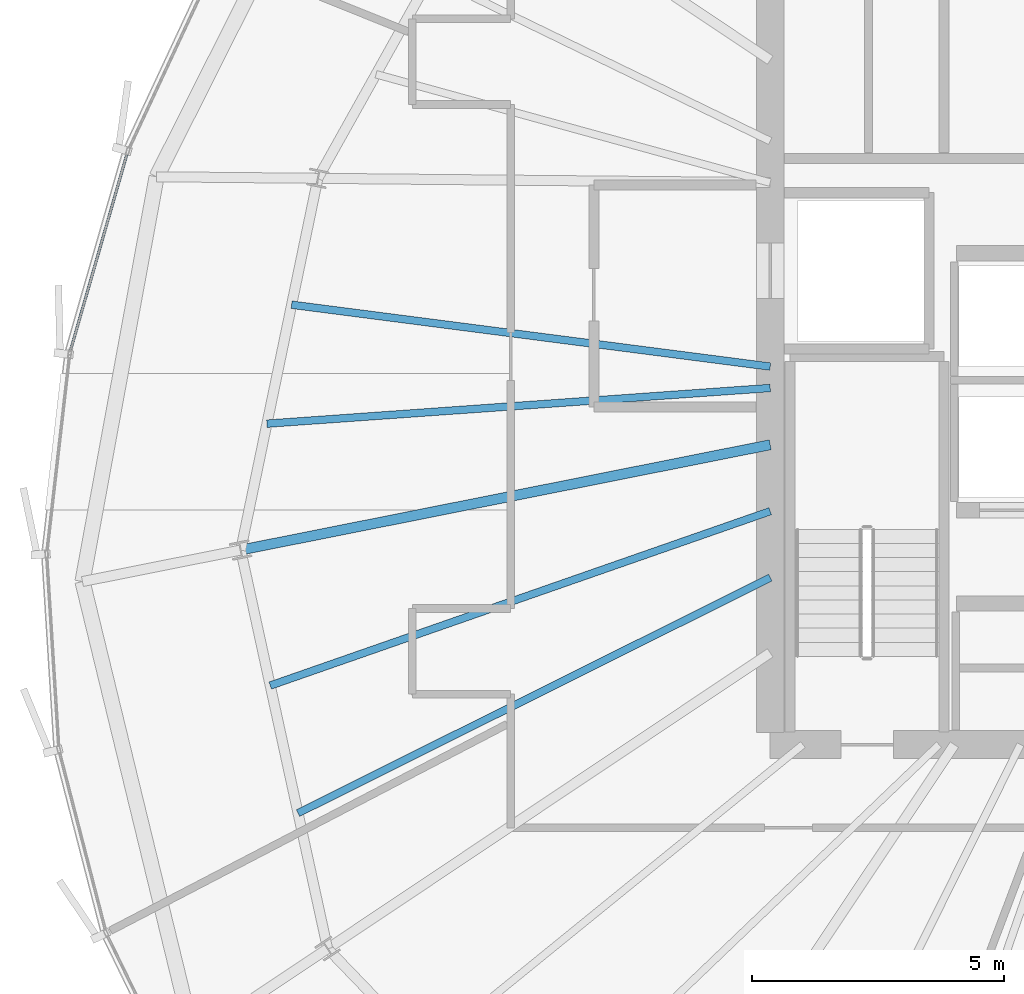
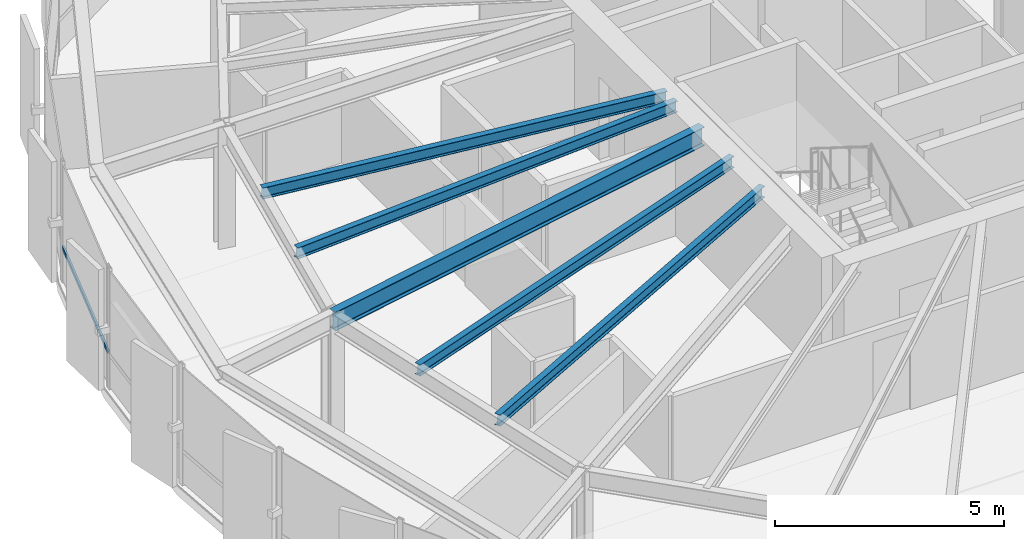
# One storey, part 9 of 33: 5 beams, 1 member, 1 element without a shape of its own.
"""IFC4 building model written with IfcOpenShell, lengths in metres."""

import ifcopenshell
import ifcopenshell.guid

model = None  # the IFC model being written
_history = None  # IfcOwnerHistory: only IFC2X3 demands one
_inside = {}  # id of a spatial element -> (the spatial element, [elements in it])
_under = {}  # id of a project, library or spatial element -> (it, [spatial elements below it])
_declared = {}  # id of a project -> (the project, [libraries it declares])
_typed = {}  # id of a type object -> (the type object, [elements of that type])
_made_of = {}  # id of a material, layer set ... -> (it, [elements and type objects made of it])


def new_model(schema):
    """Start an empty IFC model of exactly this schema.

    Asked for "IFC4X3", IfcOpenShell would pick the latest addendum, in which some entities
    have other attributes; the version numbers below select the first issue.
    IFC2X3 requires an IfcOwnerHistory on every rooted entity: one is made here for all.
    """
    global model, _history
    if schema == "IFC4X3":
        model = ifcopenshell.file(schema_version=(4, 3, 0, 0))
    else:
        model = ifcopenshell.file(schema=schema)
    _inside.clear()
    _under.clear()
    _declared.clear()
    _typed.clear()
    _made_of.clear()
    _history = None
    if model.schema == "IFC2X3":
        org = make("IfcOrganization", Name="unknown")
        user = make(
            "IfcPersonAndOrganization",
            ThePerson=make("IfcPerson", FamilyName="unknown"),
            TheOrganization=org,
        )
        app = make(
            "IfcApplication",
            ApplicationDeveloper=org,
            Version="unknown",
            ApplicationFullName="unknown",
            ApplicationIdentifier="unknown",
        )
        _history = make(
            "IfcOwnerHistory",
            OwningUser=user,
            OwningApplication=app,
            ChangeAction="ADDED",
            CreationDate=0,
        )
    return model


def make(cls, **values):
    """One entity of the class cls with the attributes given. An attribute that is None is left unset."""
    return model.create_entity(
        cls, **{name: value for name, value in values.items() if value is not None}
    )


def rooted(cls, **values):
    """An entity with a GlobalId (a new one), such as an element, a storey or a relation."""
    return make(cls, GlobalId=ifcopenshell.guid.new(), OwnerHistory=_history, **values)


def si_unit(unit_type, name, prefix=None):
    """IfcSIUnit, for example si_unit("LENGTHUNIT", "METRE", prefix="MILLI")."""
    return make("IfcSIUnit", UnitType=unit_type, Prefix=prefix, Name=name)


def assignment(units):
    """IfcUnitAssignment: the units of a project."""
    return None if units is None else make("IfcUnitAssignment", Units=units)


def point(xyz):
    """IfcCartesianPoint."""
    return None if xyz is None else make("IfcCartesianPoint", Coordinates=xyz)


def direction(xyz):
    """IfcDirection."""
    return None if xyz is None else make("IfcDirection", DirectionRatios=xyz)


def frame(location, z_axis=None, x_axis=None):
    """IfcAxis2Placement3D, a coordinate frame: its origin and axes. An axis left out is left unset."""
    return make(
        "IfcAxis2Placement3D",
        Location=point(location),
        Axis=direction(z_axis),
        RefDirection=direction(x_axis),
    )


def frame_2d(location, x_axis=None):
    """IfcAxis2Placement2D, a coordinate frame in the plane: its origin and x axis."""
    return make(
        "IfcAxis2Placement2D", Location=point(location), RefDirection=direction(x_axis)
    )


def origin():
    """The frame at (0, 0, 0) with its axes left unset."""
    return frame((0.0, 0.0, 0.0))


def origin_2d():
    """The frame at (0, 0) in the plane with its x axis left unset."""
    return frame_2d((0.0, 0.0))


def place(relative_to, where):
    """IfcLocalPlacement: puts the frame where relative to a parent placement (None: the world)."""
    return make(
        "IfcLocalPlacement", PlacementRelTo=relative_to, RelativePlacement=where
    )


def context(
    kind, dimensions, precision=None, world=None, true_north=None, identifier=None
):
    """IfcGeometricRepresentationContext, for example the 3D "Model" context."""
    return make(
        "IfcGeometricRepresentationContext",
        ContextIdentifier=identifier,
        ContextType=kind,
        CoordinateSpaceDimension=dimensions,
        Precision=precision,
        WorldCoordinateSystem=world,
        TrueNorth=true_north,
    )


def subcontext(parent, identifier, kind, view, scale=None):
    """IfcGeometricRepresentationSubContext, for example "Body" below "Model"."""
    return make(
        "IfcGeometricRepresentationSubContext",
        ContextIdentifier=identifier,
        ContextType=kind,
        ParentContext=parent,
        TargetScale=scale,
        TargetView=view,
    )


def project(units=None, contexts=None):
    """IfcProject with its units and contexts."""
    return rooted(
        "IfcProject",
        Name="project",
        RepresentationContexts=contexts,
        UnitsInContext=assignment(units),
    )


def spatial(cls, under=None, at=None, **own):
    """A site, building, storey or space (cls), placed at a placement, below another one or the project."""
    s = rooted(cls, ObjectPlacement=at, **own)
    if under is not None:
        _under.setdefault(under.id(), (under, []))[1].append(s)
    return s


def profile(cls, at=None, kind="AREA", **sizes):
    """A parametric profile (cls). Its sizes go by their IFC names, for example OverallWidth=200.0."""
    return make(cls, ProfileType=kind, Position=at, **sizes)


def hollow_rectangle(**sizes):
    """IfcRectangleHollowProfileDef."""
    return profile("IfcRectangleHollowProfileDef", **sizes)


def i_section(**sizes):
    """IfcIShapeProfileDef."""
    return profile("IfcIShapeProfileDef", **sizes)


def extrude(swept, where, along, depth):
    """IfcExtrudedAreaSolid: the profile swept, set in the frame where, extruded along a direction by depth."""
    return make(
        "IfcExtrudedAreaSolid",
        SweptArea=swept,
        Position=where,
        ExtrudedDirection=direction(along),
        Depth=depth,
    )


def shape(context_of_items, identifier, shape_type, items):
    """IfcShapeRepresentation: the items that make up one representation, for example the "Body"."""
    return make(
        "IfcShapeRepresentation",
        ContextOfItems=context_of_items,
        RepresentationIdentifier=identifier,
        RepresentationType=shape_type,
        Items=items,
    )


def source(mapping_origin, context_of_items, identifier, shape_type, items):
    """IfcRepresentationMap: a shape defined once, which mapped items show again and again."""
    return make(
        "IfcRepresentationMap",
        MappingOrigin=mapping_origin,
        MappedRepresentation=shape(context_of_items, identifier, shape_type, items),
    )


def transform(
    local_origin,
    x_axis=None,
    y_axis=None,
    z_axis=None,
    scale=None,
    scale2=None,
    scale3=None,
    uniform=True,
):
    """IfcCartesianTransformationOperator3D, or its non-uniform kind. x_axis, y_axis, z_axis: its Axis1, 2, 3."""
    if uniform:
        return make(
            "IfcCartesianTransformationOperator3D",
            Axis1=direction(x_axis),
            Axis2=direction(y_axis),
            LocalOrigin=point(local_origin),
            Scale=scale,
            Axis3=direction(z_axis),
        )
    return make(
        "IfcCartesianTransformationOperator3DnonUniform",
        Axis1=direction(x_axis),
        Axis2=direction(y_axis),
        LocalOrigin=point(local_origin),
        Scale=scale,
        Axis3=direction(z_axis),
        Scale2=scale2,
        Scale3=scale3,
    )


def mapped(mapping_source, mapping_target):
    """IfcMappedItem: shows the shape of a source again, moved by a transform."""
    return make(
        "IfcMappedItem", MappingSource=mapping_source, MappingTarget=mapping_target
    )


def material(Name=None, Category=None):
    """IfcMaterial."""
    return make("IfcMaterial", Name=Name, Category=Category)


def layer(
    of_material, thickness, ventilated=None, Name=None, Category=None, Priority=None
):
    """IfcMaterialLayer: one layer of a wall or slab, of a material (None: an air gap)."""
    return make(
        "IfcMaterialLayer",
        Material=of_material,
        LayerThickness=thickness,
        IsVentilated=ventilated,
        Name=Name,
        Category=Category,
        Priority=Priority,
    )


def layer_set(layers, Name=None):
    """IfcMaterialLayerSet."""
    return make("IfcMaterialLayerSet", MaterialLayers=layers, LayerSetName=Name)


def material_profile(
    of_material, cross_section, Name=None, Category=None, Priority=None
):
    """IfcMaterialProfile: a cross section and its material."""
    return make(
        "IfcMaterialProfile",
        Name=Name,
        Material=of_material,
        Profile=cross_section,
        Priority=Priority,
        Category=Category,
    )


def profile_set(profiles, Name=None, composite=None):
    """IfcMaterialProfileSet."""
    return make(
        "IfcMaterialProfileSet",
        Name=Name,
        MaterialProfiles=profiles,
        CompositeProfile=composite,
    )


def made_of(thing, what):
    """Note that an element or type object is made of a material, layer set ...; save() writes the relation."""
    if what is not None:
        _made_of.setdefault(what.id(), (what, []))[1].append(thing)
    return thing


def type_object(cls, material=None, **own):
    """A type object (cls), such as IfcWallType, which elements share."""
    return made_of(rooted(cls, **own), material)


def element(
    cls,
    number,
    at=None,
    inside=None,
    cuts=None,
    type_object=None,
    material=None,
    context=None,
    identifier="Body",
    shape_type=None,
    held_by="IfcProductDefinitionShape",
    body=None,
    shapes=None,
    **own,
):
    """One element of the class cls, such as IfcWall. Its Tag is "e" and its number.

    at: its placement. inside: the storey or other place that contains it. cuts: it is an
    opening in that element (IfcRelVoidsElement). A single representation is given by context,
    identifier, shape_type and body (its items); several are given by shapes. held_by: the class
    of the entity that holds the representations. save() writes the other relations.
    """
    e = rooted(cls, Tag="e%d" % number, ObjectPlacement=at, **own)
    if body is not None:
        shapes = [shape(context, identifier, shape_type, body)]
    if shapes is not None:
        e.Representation = make(held_by, Representations=shapes)
    if inside is not None:
        _inside.setdefault(inside.id(), (inside, []))[1].append(e)
    if cuts is not None:
        rooted(
            "IfcRelVoidsElement", RelatingBuildingElement=cuts, RelatedOpeningElement=e
        )
    if type_object is not None:
        _typed.setdefault(type_object.id(), (type_object, []))[1].append(e)
    return made_of(e, material)


def aggregate(whole, parts):
    """IfcRelAggregates: a whole, such as a stair, and the parts it consists of."""
    return rooted("IfcRelAggregates", RelatingObject=whole, RelatedObjects=parts)


def save(model, path):
    """Write the relations noted so far, then the file.

    IfcRelAggregates (storeys below a building ...), IfcRelContainedInSpatialStructure (elements
    in a storey), IfcRelDefinesByType, IfcRelAssociatesMaterial and IfcRelDeclares: one each for
    every whole, place, type object, material and project.
    """
    for whole, parts in _under.values():
        aggregate(whole, parts)
    for where, things in _inside.values():
        rooted(
            "IfcRelContainedInSpatialStructure",
            RelatedElements=things,
            RelatingStructure=where,
        )
    for kind, things in _typed.values():
        rooted("IfcRelDefinesByType", RelatedObjects=things, RelatingType=kind)
    for what, things in _made_of.values():
        rooted("IfcRelAssociatesMaterial", RelatedObjects=things, RelatingMaterial=what)
    for by, libraries in _declared.values():
        rooted("IfcRelDeclares", RelatingContext=by, RelatedDefinitions=libraries)
    model.write(path)


model = new_model("IFC4")

# Units and contexts
model_context = context("Model", 3, precision=1e-05, world=origin(), true_north=direction((0.0, 1.0)))
body_context = subcontext(model_context, "Body", "Model", "MODEL_VIEW")
ifc_project = project(units=[si_unit("LENGTHUNIT", "METRE"), si_unit("AREAUNIT", "SQUARE_METRE"), si_unit("VOLUMEUNIT", "CUBIC_METRE"), si_unit("PLANEANGLEUNIT", "RADIAN"), si_unit("MASSUNIT", "GRAM", prefix="KILO"), si_unit("THERMODYNAMICTEMPERATUREUNIT", "KELVIN")], contexts=[model_context])

# Site, building, storey
site_placement = place(None, origin())
site = spatial("IfcSite", under=ifc_project, at=site_placement, CompositionType="ELEMENT")
building_placement = place(site_placement, origin())
building = spatial("IfcBuilding", under=site, at=building_placement, Name="Kethvar Cultural Tower", CompositionType="ELEMENT")
storey_placement = place(building_placement, frame((0.0, 0.0, 211.39990234375)))
storey = spatial("IfcBuildingStorey", under=building, at=storey_placement, Name="L55", CompositionType="ELEMENT", Elevation=211.39990234375)

# Beams
ifc_material_1 = material(Name="Steel S355J2", Category="steel")
ifc_material_profile_1 = material_profile(ifc_material_1, i_section(OverallWidth=0.199951171875, OverallDepth=0.5, WebThickness=0.01025390625, FlangeThickness=0.01611328125, FilletRadius=0.02099609375, at=origin_2d()), Name="Steel S355J2 — IPE500")
ifc_profile_set_1 = profile_set([ifc_material_profile_1], Name="Steel S355J2 — IPE500")
beam_type_1 = type_object("IfcBeamType", Name="BM-IPE500", PredefinedType="BEAM", material=ifc_profile_set_1)
shared_shape_1 = source(origin(), body_context, "Body", "SweptSolid", [
    extrude(i_section(OverallWidth=0.199951171875, OverallDepth=0.5, WebThickness=0.01025390625, FlangeThickness=0.01611328125, FilletRadius=0.02099609375, at=origin_2d()), origin(), (0.0, 0.0, 1.0), 10.712890625),
])
beam_1_placement = place(storey_placement, frame((38.0, 26.049560546875, 3.008056640625), z_axis=(-0.980787859831, -0.195077353908, 0.0), x_axis=(0.195077353908, -0.980787859831, 0.0)))
element("IfcBeam", 1, at=beam_1_placement, inside=storey, type_object=beam_type_1, Name="L55 Primary Radial Beam RB-09", PredefinedType="BEAM", context=body_context, shape_type="MappedRepresentation", body=[
    mapped(shared_shape_1, transform((0.0, 0.0, 0.0), scale=1.0)),
])
ifc_material_profile_2 = material_profile(ifc_material_1, i_section(OverallWidth=0.14990234375, OverallDepth=0.300048828125, WebThickness=0.007080078125, FlangeThickness=0.0107421875, FilletRadius=0.014892578125, at=origin_2d()), Name="Steel S355J2 — IPE300")
ifc_profile_set_2 = profile_set([ifc_material_profile_2], Name="Steel S355J2 — IPE300")
beam_type_2 = type_object("IfcBeamType", Name="BM-J300", PredefinedType="JOIST", material=ifc_profile_set_2)
shared_shape_2 = source(origin(), body_context, "Body", "SweptSolid", [
    extrude(i_section(OverallWidth=0.14990234375, OverallDepth=0.300048828125, WebThickness=0.007080078125, FlangeThickness=0.0107421875, FilletRadius=0.014892578125, at=origin_2d()), origin(), (0.0, 0.0, 1.0), 9.5751953125),
])
beam_2_placement = place(storey_placement, frame((38.0, 27.60009765625, 3.108154296875), z_axis=(-0.991744950922, 0.128226176424, 0.0), x_axis=(-0.128226176424, -0.991744950922, 0.0)))
element("IfcBeam", 2, at=beam_2_placement, inside=storey, type_object=beam_type_2, Name="L55 Composite Floor Joist J-08A", PredefinedType="JOIST", context=body_context, shape_type="MappedRepresentation", body=[
    mapped(shared_shape_2, transform((0.0, 0.0, 0.0), scale=1.0)),
])
shared_shape_3 = source(origin(), body_context, "Body", "SweptSolid", [
    extrude(i_section(OverallWidth=0.14990234375, OverallDepth=0.300048828125, WebThickness=0.007080078125, FlangeThickness=0.0107421875, FilletRadius=0.014892578125, at=origin_2d()), origin(), (0.0, 0.0, 1.0), 10.01123046875),
])
beam_3_placement = place(storey_placement, frame((38.0, 27.17578125, 3.108154296875), z_axis=(-0.997494349679, -0.070746182637, 0.0), x_axis=(0.070746182637, -0.997494349679, 0.0)))
element("IfcBeam", 3, at=beam_3_placement, inside=storey, type_object=beam_type_2, Name="L55 Composite Floor Joist J-08B", PredefinedType="JOIST", context=body_context, shape_type="MappedRepresentation", body=[
    mapped(shared_shape_3, transform((0.0, 0.0, 0.0), scale=1.0)),
])
shared_shape_4 = source(origin(), body_context, "Body", "SweptSolid", [
    extrude(i_section(OverallWidth=0.14990234375, OverallDepth=0.300048828125, WebThickness=0.007080078125, FlangeThickness=0.0107421875, FilletRadius=0.014892578125, at=origin_2d()), origin(), (0.0, 0.0, 1.0), 10.506591796875),
])
beam_4_placement = place(storey_placement, frame((38.0, 24.73095703125, 3.108154296875), z_axis=(-0.944221858738, -0.329310008171, 0.0), x_axis=(0.329310008171, -0.944221858738, 0.0)))
element("IfcBeam", 4, at=beam_4_placement, inside=storey, type_object=beam_type_2, Name="L55 Composite Floor Joist J-09A", PredefinedType="JOIST", context=body_context, shape_type="MappedRepresentation", body=[
    mapped(shared_shape_4, transform((0.0, 0.0, 0.0), scale=1.0)),
])
shared_shape_5 = source(origin(), body_context, "Body", "SweptSolid", [
    extrude(i_section(OverallWidth=0.14990234375, OverallDepth=0.300048828125, WebThickness=0.007080078125, FlangeThickness=0.0107421875, FilletRadius=0.014892578125, at=origin_2d()), origin(), (0.0, 0.0, 1.0), 10.468994140625),
])
beam_5_placement = place(storey_placement, frame((38.0, 23.412109375, 3.108154296875), z_axis=(-0.894916380948, -0.446233874904, 0.0), x_axis=(0.446233874904, -0.894916380948, 0.0)))
element("IfcBeam", 5, at=beam_5_placement, inside=storey, type_object=beam_type_2, Name="L55 Composite Floor Joist J-09B", PredefinedType="JOIST", context=body_context, shape_type="MappedRepresentation", body=[
    mapped(shared_shape_5, transform((0.0, 0.0, 0.0), scale=1.0)),
])

# Curtain wall, member
ifc_material_2 = material(Name="Aluminium 6063-T6", Category="aluminium")
ifc_layer = layer(ifc_material_2, 0.179931640625, Name="Aluminium 6063-T6", Category="aluminium")
ifc_layer_set = layer_set([ifc_layer], Name="Aluminium 6063-T6 (180 mm)")
curtain_wall_type = type_object("IfcCurtainWallType", Name="CW-SYS-04-Z34", PredefinedType="NOTDEFINED", material=ifc_layer_set)
curtain_wall_placement = place(storey_placement, origin())
curtain_wall = element("IfcCurtainWall", 6, at=curtain_wall_placement, inside=storey, type_object=curtain_wall_type, Name="L55 Curtain Wall Run 02", PredefinedType="NOTDEFINED")
ifc_material_profile_3 = material_profile(ifc_material_2, hollow_rectangle(XDim=0.050048828125, YDim=0.10009765625, WallThickness=0.00390625, at=origin_2d()), Name="Aluminium 6063-T6 — RHS100x50x4")
ifc_profile_set_3 = profile_set([ifc_material_profile_3], Name="Aluminium 6063-T6 — RHS100x50x4")
member_type = type_object("IfcMemberType", Name="CW-SYS-04-Z34-TRN", PredefinedType="USERDEFINED", material=ifc_profile_set_3)
shared_shape_6 = source(origin(), body_context, "Body", "SweptSolid", [
    extrude(hollow_rectangle(XDim=0.050048828125, YDim=0.10009765625, WallThickness=0.00390625, at=origin_2d()), origin(), (0.0, 0.0, 1.0), 4.091796875),
])
member_placement = place(storey_placement, frame((25.242431640625, 31.836181640625, 0.9501953125), z_axis=(-0.276320514002, -0.961065540711, 0.0), x_axis=(0.961065540711, -0.276320514002, 0.0)))
member = element("IfcMember", 7, at=member_placement, type_object=member_type, Name="CW-L55-R02 Transom 6", ObjectType="TRANSOM", PredefinedType="USERDEFINED", context=body_context, shape_type="MappedRepresentation", body=[
    mapped(shared_shape_6, transform((0.0, 0.0, 0.0), scale=1.0)),
])
aggregate(curtain_wall, [member])

save(model, "model.ifc")
